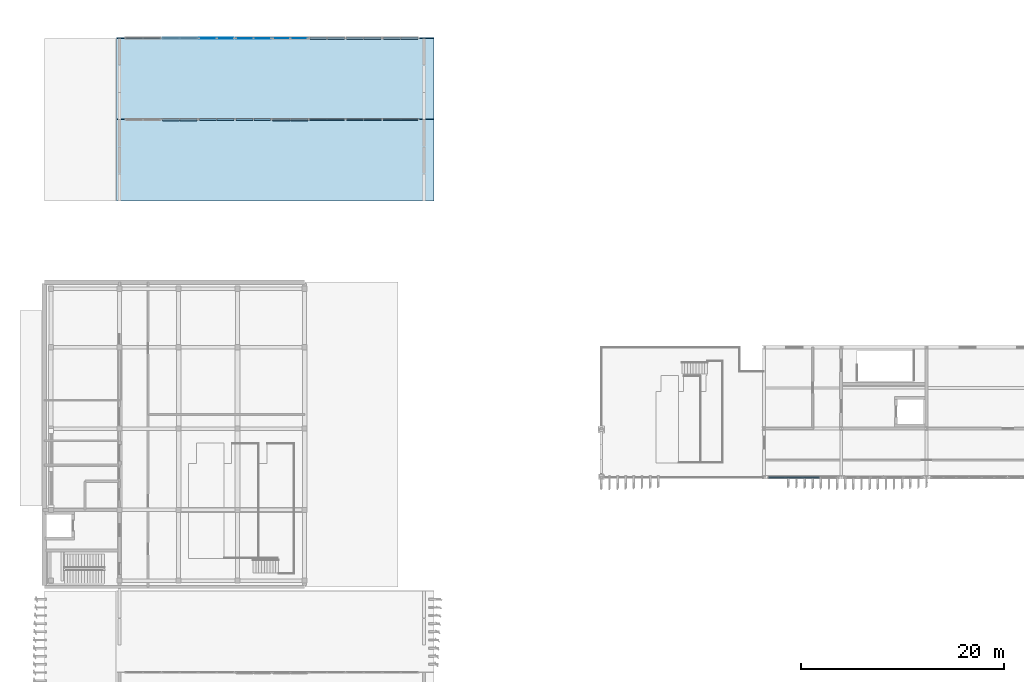
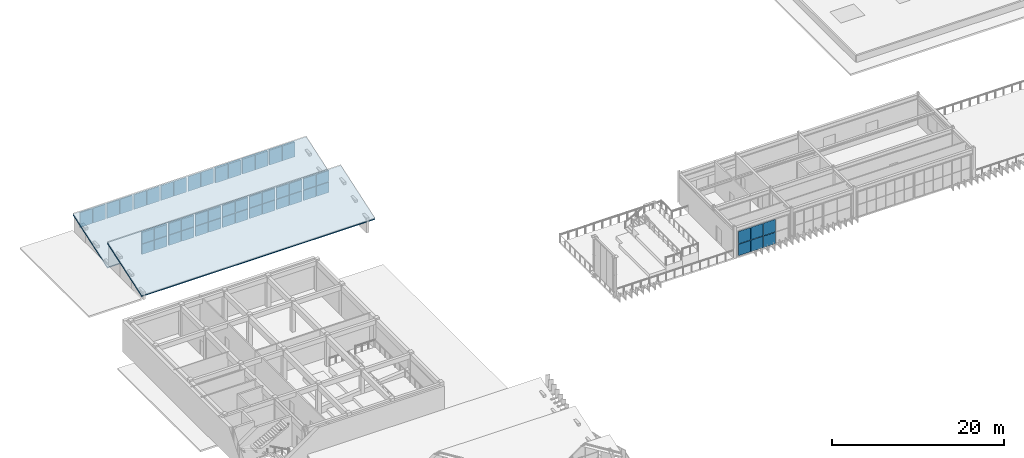
# One storey, part 22 of 45: 50 plates, 2 slabs, 16 elements without a shape of their own.
"""IFC4 building model written with IfcOpenShell, lengths in metres."""

import ifcopenshell
import ifcopenshell.guid

model = None  # the IFC model being written
_history = None  # IfcOwnerHistory: only IFC2X3 demands one
_inside = {}  # id of a spatial element -> (the spatial element, [elements in it])
_under = {}  # id of a project, library or spatial element -> (it, [spatial elements below it])
_declared = {}  # id of a project -> (the project, [libraries it declares])
_typed = {}  # id of a type object -> (the type object, [elements of that type])
_made_of = {}  # id of a material, layer set ... -> (it, [elements and type objects made of it])


def new_model(schema):
    """Start an empty IFC model of exactly this schema.

    Asked for "IFC4X3", IfcOpenShell would pick the latest addendum, in which some entities
    have other attributes; the version numbers below select the first issue.
    IFC2X3 requires an IfcOwnerHistory on every rooted entity: one is made here for all.
    """
    global model, _history
    if schema == "IFC4X3":
        model = ifcopenshell.file(schema_version=(4, 3, 0, 0))
    else:
        model = ifcopenshell.file(schema=schema)
    _inside.clear()
    _under.clear()
    _declared.clear()
    _typed.clear()
    _made_of.clear()
    _history = None
    if model.schema == "IFC2X3":
        org = make("IfcOrganization", Name="unknown")
        user = make(
            "IfcPersonAndOrganization",
            ThePerson=make("IfcPerson", FamilyName="unknown"),
            TheOrganization=org,
        )
        app = make(
            "IfcApplication",
            ApplicationDeveloper=org,
            Version="unknown",
            ApplicationFullName="unknown",
            ApplicationIdentifier="unknown",
        )
        _history = make(
            "IfcOwnerHistory",
            OwningUser=user,
            OwningApplication=app,
            ChangeAction="ADDED",
            CreationDate=0,
        )
    return model


def make(cls, **values):
    """One entity of the class cls with the attributes given. An attribute that is None is left unset."""
    return model.create_entity(
        cls, **{name: value for name, value in values.items() if value is not None}
    )


def rooted(cls, **values):
    """An entity with a GlobalId (a new one), such as an element, a storey or a relation."""
    return make(cls, GlobalId=ifcopenshell.guid.new(), OwnerHistory=_history, **values)


def si_unit(unit_type, name, prefix=None):
    """IfcSIUnit, for example si_unit("LENGTHUNIT", "METRE", prefix="MILLI")."""
    return make("IfcSIUnit", UnitType=unit_type, Prefix=prefix, Name=name)


def assignment(units):
    """IfcUnitAssignment: the units of a project."""
    return None if units is None else make("IfcUnitAssignment", Units=units)


def point(xyz):
    """IfcCartesianPoint."""
    return None if xyz is None else make("IfcCartesianPoint", Coordinates=xyz)


def direction(xyz):
    """IfcDirection."""
    return None if xyz is None else make("IfcDirection", DirectionRatios=xyz)


def frame(location, z_axis=None, x_axis=None):
    """IfcAxis2Placement3D, a coordinate frame: its origin and axes. An axis left out is left unset."""
    return make(
        "IfcAxis2Placement3D",
        Location=point(location),
        Axis=direction(z_axis),
        RefDirection=direction(x_axis),
    )


def frame_2d(location, x_axis=None):
    """IfcAxis2Placement2D, a coordinate frame in the plane: its origin and x axis."""
    return make(
        "IfcAxis2Placement2D", Location=point(location), RefDirection=direction(x_axis)
    )


def origin():
    """The frame at (0, 0, 0) with its axes left unset."""
    return frame((0.0, 0.0, 0.0))


def origin_2d():
    """The frame at (0, 0) in the plane with its x axis left unset."""
    return frame_2d((0.0, 0.0))


def place(relative_to, where):
    """IfcLocalPlacement: puts the frame where relative to a parent placement (None: the world)."""
    return make(
        "IfcLocalPlacement", PlacementRelTo=relative_to, RelativePlacement=where
    )


def context(
    kind, dimensions, precision=None, world=None, true_north=None, identifier=None
):
    """IfcGeometricRepresentationContext, for example the 3D "Model" context."""
    return make(
        "IfcGeometricRepresentationContext",
        ContextIdentifier=identifier,
        ContextType=kind,
        CoordinateSpaceDimension=dimensions,
        Precision=precision,
        WorldCoordinateSystem=world,
        TrueNorth=true_north,
    )


def subcontext(parent, identifier, kind, view, scale=None):
    """IfcGeometricRepresentationSubContext, for example "Body" below "Model"."""
    return make(
        "IfcGeometricRepresentationSubContext",
        ContextIdentifier=identifier,
        ContextType=kind,
        ParentContext=parent,
        TargetScale=scale,
        TargetView=view,
    )


def project(units=None, contexts=None):
    """IfcProject with its units and contexts."""
    return rooted(
        "IfcProject",
        Name="project",
        RepresentationContexts=contexts,
        UnitsInContext=assignment(units),
    )


def spatial(cls, under=None, at=None, **own):
    """A site, building, storey or space (cls), placed at a placement, below another one or the project."""
    s = rooted(cls, ObjectPlacement=at, **own)
    if under is not None:
        _under.setdefault(under.id(), (under, []))[1].append(s)
    return s


def polyline(points):
    """IfcPolyline through the points."""
    return make("IfcPolyline", Points=[point(p) for p in points])


def profile(cls, at=None, kind="AREA", **sizes):
    """A parametric profile (cls). Its sizes go by their IFC names, for example OverallWidth=200.0."""
    return make(cls, ProfileType=kind, Position=at, **sizes)


def rectangle(**sizes):
    """IfcRectangleProfileDef."""
    return profile("IfcRectangleProfileDef", **sizes)


def outline(outer, holes=None, kind="AREA"):
    """IfcArbitraryClosedProfileDef: a profile drawn as a closed curve; with holes, ...WithVoids."""
    if holes is None:
        return make("IfcArbitraryClosedProfileDef", ProfileType=kind, OuterCurve=outer)
    return make(
        "IfcArbitraryProfileDefWithVoids",
        ProfileType=kind,
        OuterCurve=outer,
        InnerCurves=holes,
    )


def extrude(swept, where, along, depth):
    """IfcExtrudedAreaSolid: the profile swept, set in the frame where, extruded along a direction by depth."""
    return make(
        "IfcExtrudedAreaSolid",
        SweptArea=swept,
        Position=where,
        ExtrudedDirection=direction(along),
        Depth=depth,
    )


def shape(context_of_items, identifier, shape_type, items):
    """IfcShapeRepresentation: the items that make up one representation, for example the "Body"."""
    return make(
        "IfcShapeRepresentation",
        ContextOfItems=context_of_items,
        RepresentationIdentifier=identifier,
        RepresentationType=shape_type,
        Items=items,
    )


def material(Name=None, Category=None):
    """IfcMaterial."""
    return make("IfcMaterial", Name=Name, Category=Category)


def layer(
    of_material, thickness, ventilated=None, Name=None, Category=None, Priority=None
):
    """IfcMaterialLayer: one layer of a wall or slab, of a material (None: an air gap)."""
    return make(
        "IfcMaterialLayer",
        Material=of_material,
        LayerThickness=thickness,
        IsVentilated=ventilated,
        Name=Name,
        Category=Category,
        Priority=Priority,
    )


def layer_set(layers, Name=None):
    """IfcMaterialLayerSet."""
    return make("IfcMaterialLayerSet", MaterialLayers=layers, LayerSetName=Name)


def made_of(thing, what):
    """Note that an element or type object is made of a material, layer set ...; save() writes the relation."""
    if what is not None:
        _made_of.setdefault(what.id(), (what, []))[1].append(thing)
    return thing


def type_object(cls, material=None, **own):
    """A type object (cls), such as IfcWallType, which elements share."""
    return made_of(rooted(cls, **own), material)


def element(
    cls,
    number,
    at=None,
    inside=None,
    cuts=None,
    type_object=None,
    material=None,
    context=None,
    identifier="Body",
    shape_type=None,
    held_by="IfcProductDefinitionShape",
    body=None,
    shapes=None,
    **own,
):
    """One element of the class cls, such as IfcWall. Its Tag is "e" and its number.

    at: its placement. inside: the storey or other place that contains it. cuts: it is an
    opening in that element (IfcRelVoidsElement). A single representation is given by context,
    identifier, shape_type and body (its items); several are given by shapes. held_by: the class
    of the entity that holds the representations. save() writes the other relations.
    """
    e = rooted(cls, Tag="e%d" % number, ObjectPlacement=at, **own)
    if body is not None:
        shapes = [shape(context, identifier, shape_type, body)]
    if shapes is not None:
        e.Representation = make(held_by, Representations=shapes)
    if inside is not None:
        _inside.setdefault(inside.id(), (inside, []))[1].append(e)
    if cuts is not None:
        rooted(
            "IfcRelVoidsElement", RelatingBuildingElement=cuts, RelatedOpeningElement=e
        )
    if type_object is not None:
        _typed.setdefault(type_object.id(), (type_object, []))[1].append(e)
    return made_of(e, material)


def aggregate(whole, parts):
    """IfcRelAggregates: a whole, such as a stair, and the parts it consists of."""
    return rooted("IfcRelAggregates", RelatingObject=whole, RelatedObjects=parts)


def save(model, path):
    """Write the relations noted so far, then the file.

    IfcRelAggregates (storeys below a building ...), IfcRelContainedInSpatialStructure (elements
    in a storey), IfcRelDefinesByType, IfcRelAssociatesMaterial and IfcRelDeclares: one each for
    every whole, place, type object, material and project.
    """
    for whole, parts in _under.values():
        aggregate(whole, parts)
    for where, things in _inside.values():
        rooted(
            "IfcRelContainedInSpatialStructure",
            RelatedElements=things,
            RelatingStructure=where,
        )
    for kind, things in _typed.values():
        rooted("IfcRelDefinesByType", RelatedObjects=things, RelatingType=kind)
    for what, things in _made_of.values():
        rooted("IfcRelAssociatesMaterial", RelatedObjects=things, RelatingMaterial=what)
    for by, libraries in _declared.values():
        rooted("IfcRelDeclares", RelatingContext=by, RelatedDefinitions=libraries)
    model.write(path)


model = new_model("IFC4")

# Units and contexts
model_context = context("Model", 3, precision=1e-05, world=origin(), true_north=direction((0.0, 1.0)))
body_context = subcontext(model_context, "Body", "Model", "MODEL_VIEW")
ifc_project = project(units=[si_unit("LENGTHUNIT", "METRE"), si_unit("AREAUNIT", "SQUARE_METRE"), si_unit("VOLUMEUNIT", "CUBIC_METRE"), si_unit("PLANEANGLEUNIT", "RADIAN"), si_unit("MASSUNIT", "GRAM", prefix="KILO")], contexts=[model_context])

# Site, building, storey
site_placement = place(None, origin())
site = spatial("IfcSite", under=ifc_project, at=site_placement, CompositionType="ELEMENT")
building_placement = place(site_placement, origin())
building = spatial("IfcBuilding", under=site, at=building_placement, Name="Cinchona Park Media Centre", CompositionType="ELEMENT")
storey_placement = place(building_placement, frame((0.0, 0.0, 20.39990234375)))
storey = spatial("IfcBuildingStorey", under=building, at=storey_placement, Name="L04", CompositionType="ELEMENT", Elevation=20.39990234375)

# Curtain wall, plates
ifc_material_1 = material(Name="Aluminium Curtain Wall Framing", Category="aluminium")
ifc_layer_1 = layer(ifc_material_1, 0.31494140625)
ifc_layer_set_1 = layer_set([ifc_layer_1], Name="Aluminium Curtain Wall Framing")
curtain_wall_type_1 = type_object("IfcCurtainWallType", Name="CW-CW10", PredefinedType="USERDEFINED", material=ifc_layer_set_1)
curtain_wall_1_placement = place(storey_placement, origin())
curtain_wall_1 = element("IfcCurtainWall", 1, at=curtain_wall_1_placement, inside=storey, type_object=curtain_wall_type_1, Name="North-Light Sawtooth Clerestory V2 Bay 2.4 CW10 L04", ObjectType="UNITISED CURTAIN WALL", PredefinedType="USERDEFINED")
ifc_material_2 = material(Name="Laminated Solar-Control Double Glazing", Category="glass")
ifc_layer_2 = layer(ifc_material_2, 0.030029296875)
ifc_layer_set_2 = layer_set([ifc_layer_2], Name="Laminated Solar-Control Double Glazing")
plate_type_1 = type_object("IfcPlateType", Name="CWPANEL-PNL02", PredefinedType="CURTAIN_PANEL", material=ifc_layer_set_2)
plate_1_placement = place(storey_placement, frame((33.0576171875, 118.0, 0.0703125), z_axis=(0.0, 0.0, 1.0), x_axis=(-1.0, 0.0, 0.0)))
plate_1 = element("IfcPlate", 2, at=plate_1_placement, type_object=plate_type_1, Name="CW10 panel 1.1", PredefinedType="CURTAIN_PANEL", context=body_context, shape_type="SweptSolid", body=[
    extrude(rectangle(XDim=1.6650390625, YDim=0.030029296875, at=origin_2d()), origin(), (0.0, 0.0, 1.0), 2.096923828125),
])
plate_2_placement = place(storey_placement, frame((31.322509765625, 118.0, 0.0703125), z_axis=(0.0, 0.0, 1.0), x_axis=(-1.0, 0.0, 0.0)))
plate_2 = element("IfcPlate", 3, at=plate_2_placement, type_object=plate_type_1, Name="CW10 panel 2.1", PredefinedType="CURTAIN_PANEL", context=body_context, shape_type="SweptSolid", body=[
    extrude(rectangle(XDim=1.6650390625, YDim=0.030029296875, at=origin_2d()), origin(), (0.0, 0.0, 1.0), 2.096923828125),
])
aggregate(curtain_wall_1, [plate_1, plate_2])

curtain_wall_2_placement = place(storey_placement, origin())
curtain_wall_2 = element("IfcCurtainWall", 4, at=curtain_wall_2_placement, inside=storey, type_object=curtain_wall_type_1, Name="North-Light Sawtooth Clerestory V2 Bay 2.5 CW10 L04", ObjectType="UNITISED CURTAIN WALL", PredefinedType="USERDEFINED")
ifc_material_3 = material(Name="Laminated Solar-Control Double Glazing", Category="glass")
ifc_layer_3 = layer(ifc_material_3, 0.050048828125)
ifc_layer_set_3 = layer_set([ifc_layer_3], Name="Laminated Solar-Control Double Glazing")
plate_type_2 = type_object("IfcPlateType", Name="CWPANEL-PNL04", PredefinedType="CURTAIN_PANEL", material=ifc_layer_set_3)
plate_3_placement = place(storey_placement, frame((29.4375, 118.0, 0.0703125), z_axis=(0.0, 0.0, 1.0), x_axis=(-1.0, 0.0, 0.0)))
plate_3 = element("IfcPlate", 5, at=plate_3_placement, type_object=plate_type_2, Name="CW10 panel 1.1", PredefinedType="CURTAIN_PANEL", context=body_context, shape_type="SweptSolid", body=[
    extrude(rectangle(XDim=1.6650390625, YDim=0.050048828125, at=origin_2d()), origin(), (0.0, 0.0, 1.0), 2.096923828125),
])
plate_4_placement = place(storey_placement, frame((27.702392578125, 118.0, 0.0703125), z_axis=(0.0, 0.0, 1.0), x_axis=(-1.0, 0.0, 0.0)))
plate_4 = element("IfcPlate", 6, at=plate_4_placement, type_object=plate_type_2, Name="CW10 panel 2.1", PredefinedType="CURTAIN_PANEL", context=body_context, shape_type="SweptSolid", body=[
    extrude(rectangle(XDim=1.6650390625, YDim=0.050048828125, at=origin_2d()), origin(), (0.0, 0.0, 1.0), 2.096923828125),
])
aggregate(curtain_wall_2, [plate_3, plate_4])

curtain_wall_3_placement = place(storey_placement, origin())
curtain_wall_3 = element("IfcCurtainWall", 7, at=curtain_wall_3_placement, inside=storey, type_object=curtain_wall_type_1, Name="North-Light Sawtooth Clerestory V2 Bay 2.6 CW10 L04", ObjectType="UNITISED CURTAIN WALL", PredefinedType="USERDEFINED")
ifc_material_4 = material(Name="Laminated Solar-Control Double Glazing", Category="glass")
ifc_layer_4 = layer(ifc_material_4, 0.070068359375)
ifc_layer_set_4 = layer_set([ifc_layer_4], Name="Laminated Solar-Control Double Glazing")
plate_type_3 = type_object("IfcPlateType", Name="CWPANEL-PNL06", PredefinedType="CURTAIN_PANEL", material=ifc_layer_set_4)
plate_5_placement = place(storey_placement, frame((25.8173828125, 118.0, 0.0703125), z_axis=(0.0, 0.0, 1.0), x_axis=(-1.0, 0.0, 0.0)))
plate_5 = element("IfcPlate", 8, at=plate_5_placement, type_object=plate_type_3, Name="CW10 panel 1.1", PredefinedType="CURTAIN_PANEL", context=body_context, shape_type="SweptSolid", body=[
    extrude(rectangle(XDim=1.6650390625, YDim=0.070068359375, at=origin_2d()), origin(), (0.0, 0.0, 1.0), 2.096923828125),
])
plate_6_placement = place(storey_placement, frame((24.08251953125, 118.0, 0.0703125), z_axis=(0.0, 0.0, 1.0), x_axis=(-1.0, 0.0, 0.0)))
plate_6 = element("IfcPlate", 9, at=plate_6_placement, type_object=plate_type_3, Name="CW10 panel 2.1", PredefinedType="CURTAIN_PANEL", context=body_context, shape_type="SweptSolid", body=[
    extrude(rectangle(XDim=1.6650390625, YDim=0.070068359375, at=origin_2d()), origin(), (0.0, 0.0, 1.0), 2.096923828125),
])
aggregate(curtain_wall_3, [plate_5, plate_6])

curtain_wall_4_placement = place(storey_placement, origin())
curtain_wall_4 = element("IfcCurtainWall", 10, at=curtain_wall_4_placement, inside=storey, type_object=curtain_wall_type_1, Name="North-Light Sawtooth Clerestory V2 Bay 2.7 CW10 L04", ObjectType="UNITISED CURTAIN WALL", PredefinedType="USERDEFINED")
ifc_material_5 = material(Name="Insulated Acoustic Aluminium-Glass Spandrel Cassette", Category="aluminium")
ifc_layer_5 = layer(ifc_material_5, 0.090087890625)
ifc_layer_set_5 = layer_set([ifc_layer_5], Name="Insulated Acoustic Aluminium-Glass Spandrel Cassette")
plate_type_4 = type_object("IfcPlateType", Name="CWPANEL-PNL08", PredefinedType="CURTAIN_PANEL", material=ifc_layer_set_5)
plate_7_placement = place(storey_placement, frame((22.197509765625, 118.0, 0.0703125), z_axis=(0.0, 0.0, 1.0), x_axis=(-1.0, 0.0, 0.0)))
plate_7 = element("IfcPlate", 11, at=plate_7_placement, type_object=plate_type_4, Name="CW10 panel 1.1", PredefinedType="CURTAIN_PANEL", context=body_context, shape_type="SweptSolid", body=[
    extrude(rectangle(XDim=1.6650390625, YDim=0.090087890625, at=origin_2d()), origin(), (0.0, 0.0, 1.0), 2.096923828125),
])
plate_8_placement = place(storey_placement, frame((20.46240234375, 118.0, 0.0703125), z_axis=(0.0, 0.0, 1.0), x_axis=(-1.0, 0.0, 0.0)))
plate_8 = element("IfcPlate", 12, at=plate_8_placement, type_object=plate_type_4, Name="CW10 panel 2.1", PredefinedType="CURTAIN_PANEL", context=body_context, shape_type="SweptSolid", body=[
    extrude(rectangle(XDim=1.6650390625, YDim=0.090087890625, at=origin_2d()), origin(), (0.0, 0.0, 1.0), 2.096923828125),
])
aggregate(curtain_wall_4, [plate_7, plate_8])

curtain_wall_5_placement = place(storey_placement, origin())
curtain_wall_5 = element("IfcCurtainWall", 13, at=curtain_wall_5_placement, inside=storey, type_object=curtain_wall_type_1, Name="North-Light Sawtooth Clerestory V2 Bay 2.8 CW10 L04", ObjectType="UNITISED CURTAIN WALL", PredefinedType="USERDEFINED")
ifc_material_6 = material(Name="Insulated Acoustic Aluminium-Glass Spandrel Cassette", Category="aluminium")
ifc_layer_6 = layer(ifc_material_6, 0.110107421875)
ifc_layer_set_6 = layer_set([ifc_layer_6], Name="Insulated Acoustic Aluminium-Glass Spandrel Cassette")
plate_type_5 = type_object("IfcPlateType", Name="CWPANEL-PNL10", PredefinedType="CURTAIN_PANEL", material=ifc_layer_set_6)
plate_9_placement = place(storey_placement, frame((18.577392578125, 118.0, 0.0703125), z_axis=(0.0, 0.0, 1.0), x_axis=(-1.0, 0.0, 0.0)))
plate_9 = element("IfcPlate", 14, at=plate_9_placement, type_object=plate_type_5, Name="CW10 panel 1.1", PredefinedType="CURTAIN_PANEL", context=body_context, shape_type="SweptSolid", body=[
    extrude(rectangle(XDim=1.6650390625, YDim=0.110107421875, at=origin_2d()), origin(), (0.0, 0.0, 1.0), 2.096923828125),
])
plate_10_placement = place(storey_placement, frame((16.842529296875, 118.0, 0.0703125), z_axis=(0.0, 0.0, 1.0), x_axis=(-1.0, 0.0, 0.0)))
plate_10 = element("IfcPlate", 15, at=plate_10_placement, type_object=plate_type_5, Name="CW10 panel 2.1", PredefinedType="CURTAIN_PANEL", context=body_context, shape_type="SweptSolid", body=[
    extrude(rectangle(XDim=1.6650390625, YDim=0.110107421875, at=origin_2d()), origin(), (0.0, 0.0, 1.0), 2.096923828125),
])
aggregate(curtain_wall_5, [plate_9, plate_10])

curtain_wall_6_placement = place(storey_placement, origin())
curtain_wall_6 = element("IfcCurtainWall", 16, at=curtain_wall_6_placement, inside=storey, type_object=curtain_wall_type_1, Name="North-Light Sawtooth Clerestory V2 Bay 1.1 CW10 L04", ObjectType="UNITISED CURTAIN WALL", PredefinedType="USERDEFINED")
ifc_material_7 = material(Name="Insulated Acoustic Aluminium-Glass Spandrel Cassette", Category="aluminium")
ifc_layer_7 = layer(ifc_material_7, 0.1201171875)
ifc_layer_set_7 = layer_set([ifc_layer_7], Name="Insulated Acoustic Aluminium-Glass Spandrel Cassette")
plate_type_6 = type_object("IfcPlateType", Name="CWPANEL-PNL11", PredefinedType="CURTAIN_PANEL", material=ifc_layer_set_7)
plate_11_placement = place(storey_placement, frame((43.91748046875, 110.0, -0.14990234375), z_axis=(0.0, 0.0, 1.0), x_axis=(-1.0, 0.0, 0.0)))
plate_11 = element("IfcPlate", 17, at=plate_11_placement, type_object=plate_type_6, Name="CW10 panel 1.1", PredefinedType="CURTAIN_PANEL", context=body_context, shape_type="SweptSolid", body=[
    extrude(rectangle(XDim=1.6650390625, YDim=0.1201171875, at=origin_2d()), origin(), (0.0, 0.0, 1.0), 1.4580078125),
])
plate_12_placement = place(storey_placement, frame((43.91748046875, 110.0, 1.3779296875), z_axis=(0.0, 0.0, 1.0), x_axis=(-1.0, 0.0, 0.0)))
plate_12 = element("IfcPlate", 18, at=plate_12_placement, type_object=plate_type_6, Name="CW10 panel 1.2", PredefinedType="CURTAIN_PANEL", context=body_context, shape_type="SweptSolid", body=[
    extrude(rectangle(XDim=1.6650390625, YDim=0.1201171875, at=origin_2d()), origin(), (0.0, 0.0, 1.0), 1.589111328125),
])
plate_13_placement = place(storey_placement, frame((42.1826171875, 110.0, -0.14990234375), z_axis=(0.0, 0.0, 1.0), x_axis=(-1.0, 0.0, 0.0)))
plate_13 = element("IfcPlate", 19, at=plate_13_placement, type_object=plate_type_6, Name="CW10 panel 2.1", PredefinedType="CURTAIN_PANEL", context=body_context, shape_type="SweptSolid", body=[
    extrude(rectangle(XDim=1.6650390625, YDim=0.1201171875, at=origin_2d()), origin(), (0.0, 0.0, 1.0), 1.4580078125),
])
plate_14_placement = place(storey_placement, frame((42.1826171875, 110.0, 1.3779296875), z_axis=(0.0, 0.0, 1.0), x_axis=(-1.0, 0.0, 0.0)))
plate_14 = element("IfcPlate", 20, at=plate_14_placement, type_object=plate_type_6, Name="CW10 panel 2.2", PredefinedType="CURTAIN_PANEL", context=body_context, shape_type="SweptSolid", body=[
    extrude(rectangle(XDim=1.6650390625, YDim=0.1201171875, at=origin_2d()), origin(), (0.0, 0.0, 1.0), 1.589111328125),
])
aggregate(curtain_wall_6, [plate_11, plate_12, plate_13, plate_14])

ifc_material_8 = material(Name="Aluminium Curtain Wall Framing", Category="aluminium")
ifc_layer_8 = layer(ifc_material_8, 0.284912109375)
ifc_layer_set_8 = layer_set([ifc_layer_8], Name="Aluminium Curtain Wall Framing")
curtain_wall_type_2 = type_object("IfcCurtainWallType", Name="CW-CW08", PredefinedType="USERDEFINED", material=ifc_layer_set_8)
curtain_wall_7_placement = place(storey_placement, origin())
curtain_wall_7 = element("IfcCurtainWall", 21, at=curtain_wall_7_placement, inside=storey, type_object=curtain_wall_type_2, Name="Curtain Wall CW08 L04", ObjectType="UNITISED CURTAIN WALL", PredefinedType="USERDEFINED")
ifc_material_9 = material(Name="Insulated Acoustic Aluminium-Glass Spandrel Cassette", Category="aluminium")
ifc_layer_9 = layer(ifc_material_9, 0.1298828125)
ifc_layer_set_9 = layer_set([ifc_layer_9], Name="Insulated Acoustic Aluminium-Glass Spandrel Cassette")
plate_type_7 = type_object("IfcPlateType", Name="CWPANEL-PNL12", PredefinedType="CURTAIN_PANEL", material=ifc_layer_set_9)
plate_15_placement = place(storey_placement, frame((83.445068359375, 74.800048828125, 0.1201171875), z_axis=(0.0, 0.0, 1.0), x_axis=(-1.0, 0.0, 0.0)))
plate_15 = element("IfcPlate", 22, at=plate_15_placement, type_object=plate_type_7, Name="CW08 panel 2.1", PredefinedType="CURTAIN_PANEL", context=body_context, shape_type="SweptSolid", body=[
    extrude(rectangle(XDim=1.6201171875, YDim=0.1298828125, at=origin_2d()), origin(), (0.0, 0.0, 1.0), 1.60888671875),
])
plate_16_placement = place(storey_placement, frame((83.445068359375, 74.800048828125, 1.799072265625), z_axis=(0.0, 0.0, 1.0), x_axis=(-1.0, 0.0, 0.0)))
plate_16 = element("IfcPlate", 23, at=plate_16_placement, type_object=plate_type_7, Name="CW08 panel 2.2", PredefinedType="CURTAIN_PANEL", context=body_context, shape_type="SweptSolid", body=[
    extrude(rectangle(XDim=1.6201171875, YDim=0.1298828125, at=origin_2d()), origin(), (0.0, 0.0, 1.0), 1.7509765625),
])
plate_17_placement = place(storey_placement, frame((81.7548828125, 74.800048828125, 0.1201171875), z_axis=(0.0, 0.0, 1.0), x_axis=(-1.0, 0.0, 0.0)))
plate_17 = element("IfcPlate", 24, at=plate_17_placement, type_object=plate_type_7, Name="CW08 panel 3.1", PredefinedType="CURTAIN_PANEL", context=body_context, shape_type="SweptSolid", body=[
    extrude(rectangle(XDim=1.6201171875, YDim=0.1298828125, at=origin_2d()), origin(), (0.0, 0.0, 1.0), 1.60888671875),
])
plate_18_placement = place(storey_placement, frame((81.7548828125, 74.800048828125, 1.799072265625), z_axis=(0.0, 0.0, 1.0), x_axis=(-1.0, 0.0, 0.0)))
plate_18 = element("IfcPlate", 25, at=plate_18_placement, type_object=plate_type_7, Name="CW08 panel 3.2", PredefinedType="CURTAIN_PANEL", context=body_context, shape_type="SweptSolid", body=[
    extrude(rectangle(XDim=1.6201171875, YDim=0.1298828125, at=origin_2d()), origin(), (0.0, 0.0, 1.0), 1.7509765625),
])
plate_19_placement = place(storey_placement, frame((80.08251953125, 74.800048828125, 0.1201171875), z_axis=(0.0, 0.0, 1.0), x_axis=(-1.0, 0.0, 0.0)))
plate_19 = element("IfcPlate", 26, at=plate_19_placement, type_object=plate_type_7, Name="CW08 panel 4.1", PredefinedType="CURTAIN_PANEL", context=body_context, shape_type="SweptSolid", body=[
    extrude(rectangle(XDim=1.5849609375, YDim=0.1298828125, at=origin_2d()), origin(), (0.0, 0.0, 1.0), 1.60888671875),
])
plate_20_placement = place(storey_placement, frame((80.08251953125, 74.800048828125, 1.799072265625), z_axis=(0.0, 0.0, 1.0), x_axis=(-1.0, 0.0, 0.0)))
plate_20 = element("IfcPlate", 27, at=plate_20_placement, type_object=plate_type_7, Name="CW08 panel 4.2", PredefinedType="CURTAIN_PANEL", context=body_context, shape_type="SweptSolid", body=[
    extrude(rectangle(XDim=1.5849609375, YDim=0.1298828125, at=origin_2d()), origin(), (0.0, 0.0, 1.0), 1.7509765625),
])
aggregate(curtain_wall_7, [plate_15, plate_16, plate_17, plate_18, plate_19, plate_20])

curtain_wall_8_placement = place(storey_placement, origin())
curtain_wall_8 = element("IfcCurtainWall", 28, at=curtain_wall_8_placement, inside=storey, type_object=curtain_wall_type_1, Name="North-Light Sawtooth Clerestory V2 Bay 1.2 CW10 L04", ObjectType="UNITISED CURTAIN WALL", PredefinedType="USERDEFINED")
ifc_material_10 = material(Name="Insulated Acoustic Aluminium-Glass Spandrel Cassette", Category="aluminium")
ifc_layer_10 = layer(ifc_material_10, 0.139892578125)
ifc_layer_set_10 = layer_set([ifc_layer_10], Name="Insulated Acoustic Aluminium-Glass Spandrel Cassette")
plate_type_8 = type_object("IfcPlateType", Name="CWPANEL-PNL13", PredefinedType="CURTAIN_PANEL", material=ifc_layer_set_10)
plate_21_placement = place(storey_placement, frame((40.297607421875, 110.0, -0.14990234375), z_axis=(0.0, 0.0, 1.0), x_axis=(-1.0, 0.0, 0.0)))
plate_21 = element("IfcPlate", 29, at=plate_21_placement, type_object=plate_type_8, Name="CW10 panel 1.1", PredefinedType="CURTAIN_PANEL", context=body_context, shape_type="SweptSolid", body=[
    extrude(rectangle(XDim=1.6650390625, YDim=0.139892578125, at=origin_2d()), origin(), (0.0, 0.0, 1.0), 1.4580078125),
])
plate_22_placement = place(storey_placement, frame((40.297607421875, 110.0, 1.3779296875), z_axis=(0.0, 0.0, 1.0), x_axis=(-1.0, 0.0, 0.0)))
plate_22 = element("IfcPlate", 30, at=plate_22_placement, type_object=plate_type_8, Name="CW10 panel 1.2", PredefinedType="CURTAIN_PANEL", context=body_context, shape_type="SweptSolid", body=[
    extrude(rectangle(XDim=1.6650390625, YDim=0.139892578125, at=origin_2d()), origin(), (0.0, 0.0, 1.0), 1.589111328125),
])
plate_23_placement = place(storey_placement, frame((38.5625, 110.0, -0.14990234375), z_axis=(0.0, 0.0, 1.0), x_axis=(-1.0, 0.0, 0.0)))
plate_23 = element("IfcPlate", 31, at=plate_23_placement, type_object=plate_type_8, Name="CW10 panel 2.1", PredefinedType="CURTAIN_PANEL", context=body_context, shape_type="SweptSolid", body=[
    extrude(rectangle(XDim=1.6650390625, YDim=0.139892578125, at=origin_2d()), origin(), (0.0, 0.0, 1.0), 1.4580078125),
])
plate_24_placement = place(storey_placement, frame((38.5625, 110.0, 1.3779296875), z_axis=(0.0, 0.0, 1.0), x_axis=(-1.0, 0.0, 0.0)))
plate_24 = element("IfcPlate", 32, at=plate_24_placement, type_object=plate_type_8, Name="CW10 panel 2.2", PredefinedType="CURTAIN_PANEL", context=body_context, shape_type="SweptSolid", body=[
    extrude(rectangle(XDim=1.6650390625, YDim=0.139892578125, at=origin_2d()), origin(), (0.0, 0.0, 1.0), 1.589111328125),
])
aggregate(curtain_wall_8, [plate_21, plate_22, plate_23, plate_24])

curtain_wall_9_placement = place(storey_placement, origin())
curtain_wall_9 = element("IfcCurtainWall", 33, at=curtain_wall_9_placement, inside=storey, type_object=curtain_wall_type_1, Name="North-Light Sawtooth Clerestory V2 Bay 1.3 CW10 L04", ObjectType="UNITISED CURTAIN WALL", PredefinedType="USERDEFINED")
ifc_material_11 = material(Name="Insulated Acoustic Aluminium-Glass Spandrel Cassette", Category="aluminium")
ifc_layer_11 = layer(ifc_material_11, 0.159912109375)
ifc_layer_set_11 = layer_set([ifc_layer_11], Name="Insulated Acoustic Aluminium-Glass Spandrel Cassette")
plate_type_9 = type_object("IfcPlateType", Name="CWPANEL-PNL15", PredefinedType="CURTAIN_PANEL", material=ifc_layer_set_11)
plate_25_placement = place(storey_placement, frame((36.677490234375, 110.0, -0.14990234375), z_axis=(0.0, 0.0, 1.0), x_axis=(-1.0, 0.0, 0.0)))
plate_25 = element("IfcPlate", 34, at=plate_25_placement, type_object=plate_type_9, Name="CW10 panel 1.1", PredefinedType="CURTAIN_PANEL", context=body_context, shape_type="SweptSolid", body=[
    extrude(rectangle(XDim=1.6650390625, YDim=0.159912109375, at=origin_2d()), origin(), (0.0, 0.0, 1.0), 1.4580078125),
])
plate_26_placement = place(storey_placement, frame((36.677490234375, 110.0, 1.3779296875), z_axis=(0.0, 0.0, 1.0), x_axis=(-1.0, 0.0, 0.0)))
plate_26 = element("IfcPlate", 35, at=plate_26_placement, type_object=plate_type_9, Name="CW10 panel 1.2", PredefinedType="CURTAIN_PANEL", context=body_context, shape_type="SweptSolid", body=[
    extrude(rectangle(XDim=1.6650390625, YDim=0.159912109375, at=origin_2d()), origin(), (0.0, 0.0, 1.0), 1.589111328125),
])
plate_27_placement = place(storey_placement, frame((34.9423828125, 110.0, -0.14990234375), z_axis=(0.0, 0.0, 1.0), x_axis=(-1.0, 0.0, 0.0)))
plate_27 = element("IfcPlate", 36, at=plate_27_placement, type_object=plate_type_9, Name="CW10 panel 2.1", PredefinedType="CURTAIN_PANEL", context=body_context, shape_type="SweptSolid", body=[
    extrude(rectangle(XDim=1.6650390625, YDim=0.159912109375, at=origin_2d()), origin(), (0.0, 0.0, 1.0), 1.4580078125),
])
plate_28_placement = place(storey_placement, frame((34.9423828125, 110.0, 1.3779296875), z_axis=(0.0, 0.0, 1.0), x_axis=(-1.0, 0.0, 0.0)))
plate_28 = element("IfcPlate", 37, at=plate_28_placement, type_object=plate_type_9, Name="CW10 panel 2.2", PredefinedType="CURTAIN_PANEL", context=body_context, shape_type="SweptSolid", body=[
    extrude(rectangle(XDim=1.6650390625, YDim=0.159912109375, at=origin_2d()), origin(), (0.0, 0.0, 1.0), 1.589111328125),
])
aggregate(curtain_wall_9, [plate_25, plate_26, plate_27, plate_28])

curtain_wall_10_placement = place(storey_placement, origin())
curtain_wall_10 = element("IfcCurtainWall", 38, at=curtain_wall_10_placement, inside=storey, type_object=curtain_wall_type_1, Name="North-Light Sawtooth Clerestory V2 Bay 1.4 CW10 L04", ObjectType="UNITISED CURTAIN WALL", PredefinedType="USERDEFINED")
ifc_material_12 = material(Name="Insulated Acoustic Aluminium-Glass Spandrel Cassette", Category="aluminium")
ifc_layer_12 = layer(ifc_material_12, 0.179931640625)
ifc_layer_set_12 = layer_set([ifc_layer_12], Name="Insulated Acoustic Aluminium-Glass Spandrel Cassette")
plate_type_10 = type_object("IfcPlateType", Name="CWPANEL-PNL17", PredefinedType="CURTAIN_PANEL", material=ifc_layer_set_12)
plate_29_placement = place(storey_placement, frame((33.0576171875, 110.0, -0.14990234375), z_axis=(0.0, 0.0, 1.0), x_axis=(-1.0, 0.0, 0.0)))
plate_29 = element("IfcPlate", 39, at=plate_29_placement, type_object=plate_type_10, Name="CW10 panel 1.1", PredefinedType="CURTAIN_PANEL", context=body_context, shape_type="SweptSolid", body=[
    extrude(rectangle(XDim=1.6650390625, YDim=0.179931640625, at=origin_2d()), origin(), (0.0, 0.0, 1.0), 1.4580078125),
])
plate_30_placement = place(storey_placement, frame((33.0576171875, 110.0, 1.3779296875), z_axis=(0.0, 0.0, 1.0), x_axis=(-1.0, 0.0, 0.0)))
plate_30 = element("IfcPlate", 40, at=plate_30_placement, type_object=plate_type_10, Name="CW10 panel 1.2", PredefinedType="CURTAIN_PANEL", context=body_context, shape_type="SweptSolid", body=[
    extrude(rectangle(XDim=1.6650390625, YDim=0.179931640625, at=origin_2d()), origin(), (0.0, 0.0, 1.0), 1.589111328125),
])
plate_31_placement = place(storey_placement, frame((31.322509765625, 110.0, -0.14990234375), z_axis=(0.0, 0.0, 1.0), x_axis=(-1.0, 0.0, 0.0)))
plate_31 = element("IfcPlate", 41, at=plate_31_placement, type_object=plate_type_10, Name="CW10 panel 2.1", PredefinedType="CURTAIN_PANEL", context=body_context, shape_type="SweptSolid", body=[
    extrude(rectangle(XDim=1.6650390625, YDim=0.179931640625, at=origin_2d()), origin(), (0.0, 0.0, 1.0), 1.4580078125),
])
plate_32_placement = place(storey_placement, frame((31.322509765625, 110.0, 1.3779296875), z_axis=(0.0, 0.0, 1.0), x_axis=(-1.0, 0.0, 0.0)))
plate_32 = element("IfcPlate", 42, at=plate_32_placement, type_object=plate_type_10, Name="CW10 panel 2.2", PredefinedType="CURTAIN_PANEL", context=body_context, shape_type="SweptSolid", body=[
    extrude(rectangle(XDim=1.6650390625, YDim=0.179931640625, at=origin_2d()), origin(), (0.0, 0.0, 1.0), 1.589111328125),
])
aggregate(curtain_wall_10, [plate_29, plate_30, plate_31, plate_32])

curtain_wall_11_placement = place(storey_placement, origin())
curtain_wall_11 = element("IfcCurtainWall", 43, at=curtain_wall_11_placement, inside=storey, type_object=curtain_wall_type_1, Name="North-Light Sawtooth Clerestory V2 Bay 1.5 CW10 L04", ObjectType="UNITISED CURTAIN WALL", PredefinedType="USERDEFINED")
ifc_material_13 = material(Name="Insulated Acoustic Aluminium-Glass Spandrel Cassette", Category="aluminium")
ifc_layer_13 = layer(ifc_material_13, 0.199951171875)
ifc_layer_set_13 = layer_set([ifc_layer_13], Name="Insulated Acoustic Aluminium-Glass Spandrel Cassette")
plate_type_11 = type_object("IfcPlateType", Name="CWPANEL-PNL19", PredefinedType="CURTAIN_PANEL", material=ifc_layer_set_13)
plate_33_placement = place(storey_placement, frame((29.4375, 110.0, -0.14990234375), z_axis=(0.0, 0.0, 1.0), x_axis=(-1.0, 0.0, 0.0)))
plate_33 = element("IfcPlate", 44, at=plate_33_placement, type_object=plate_type_11, Name="CW10 panel 1.1", PredefinedType="CURTAIN_PANEL", context=body_context, shape_type="SweptSolid", body=[
    extrude(rectangle(XDim=1.6650390625, YDim=0.199951171875, at=origin_2d()), origin(), (0.0, 0.0, 1.0), 1.4580078125),
])
plate_34_placement = place(storey_placement, frame((29.4375, 110.0, 1.3779296875), z_axis=(0.0, 0.0, 1.0), x_axis=(-1.0, 0.0, 0.0)))
plate_34 = element("IfcPlate", 45, at=plate_34_placement, type_object=plate_type_11, Name="CW10 panel 1.2", PredefinedType="CURTAIN_PANEL", context=body_context, shape_type="SweptSolid", body=[
    extrude(rectangle(XDim=1.6650390625, YDim=0.199951171875, at=origin_2d()), origin(), (0.0, 0.0, 1.0), 1.589111328125),
])
plate_35_placement = place(storey_placement, frame((27.702392578125, 110.0, -0.14990234375), z_axis=(0.0, 0.0, 1.0), x_axis=(-1.0, 0.0, 0.0)))
plate_35 = element("IfcPlate", 46, at=plate_35_placement, type_object=plate_type_11, Name="CW10 panel 2.1", PredefinedType="CURTAIN_PANEL", context=body_context, shape_type="SweptSolid", body=[
    extrude(rectangle(XDim=1.6650390625, YDim=0.199951171875, at=origin_2d()), origin(), (0.0, 0.0, 1.0), 1.4580078125),
])
plate_36_placement = place(storey_placement, frame((27.702392578125, 110.0, 1.3779296875), z_axis=(0.0, 0.0, 1.0), x_axis=(-1.0, 0.0, 0.0)))
plate_36 = element("IfcPlate", 47, at=plate_36_placement, type_object=plate_type_11, Name="CW10 panel 2.2", PredefinedType="CURTAIN_PANEL", context=body_context, shape_type="SweptSolid", body=[
    extrude(rectangle(XDim=1.6650390625, YDim=0.199951171875, at=origin_2d()), origin(), (0.0, 0.0, 1.0), 1.589111328125),
])
aggregate(curtain_wall_11, [plate_33, plate_34, plate_35, plate_36])

curtain_wall_12_placement = place(storey_placement, origin())
curtain_wall_12 = element("IfcCurtainWall", 48, at=curtain_wall_12_placement, inside=storey, type_object=curtain_wall_type_1, Name="North-Light Sawtooth Clerestory V2 Bay 1.6 CW10 L04", ObjectType="UNITISED CURTAIN WALL", PredefinedType="USERDEFINED")
ifc_material_14 = material(Name="Insulated Acoustic Aluminium-Glass Spandrel Cassette", Category="aluminium")
ifc_layer_14 = layer(ifc_material_14, 0.219970703125)
ifc_layer_set_14 = layer_set([ifc_layer_14], Name="Insulated Acoustic Aluminium-Glass Spandrel Cassette")
plate_type_12 = type_object("IfcPlateType", Name="CWPANEL-PNL21", PredefinedType="CURTAIN_PANEL", material=ifc_layer_set_14)
plate_37_placement = place(storey_placement, frame((25.8173828125, 110.0, -0.14990234375), z_axis=(0.0, 0.0, 1.0), x_axis=(-1.0, 0.0, 0.0)))
plate_37 = element("IfcPlate", 49, at=plate_37_placement, type_object=plate_type_12, Name="CW10 panel 1.1", PredefinedType="CURTAIN_PANEL", context=body_context, shape_type="SweptSolid", body=[
    extrude(rectangle(XDim=1.6650390625, YDim=0.219970703125, at=origin_2d()), origin(), (0.0, 0.0, 1.0), 1.4580078125),
])
plate_38_placement = place(storey_placement, frame((25.8173828125, 110.0, 1.3779296875), z_axis=(0.0, 0.0, 1.0), x_axis=(-1.0, 0.0, 0.0)))
plate_38 = element("IfcPlate", 50, at=plate_38_placement, type_object=plate_type_12, Name="CW10 panel 1.2", PredefinedType="CURTAIN_PANEL", context=body_context, shape_type="SweptSolid", body=[
    extrude(rectangle(XDim=1.6650390625, YDim=0.219970703125, at=origin_2d()), origin(), (0.0, 0.0, 1.0), 1.589111328125),
])
plate_39_placement = place(storey_placement, frame((24.08251953125, 110.0, -0.14990234375), z_axis=(0.0, 0.0, 1.0), x_axis=(-1.0, 0.0, 0.0)))
plate_39 = element("IfcPlate", 51, at=plate_39_placement, type_object=plate_type_12, Name="CW10 panel 2.1", PredefinedType="CURTAIN_PANEL", context=body_context, shape_type="SweptSolid", body=[
    extrude(rectangle(XDim=1.6650390625, YDim=0.219970703125, at=origin_2d()), origin(), (0.0, 0.0, 1.0), 1.4580078125),
])
plate_40_placement = place(storey_placement, frame((24.08251953125, 110.0, 1.3779296875), z_axis=(0.0, 0.0, 1.0), x_axis=(-1.0, 0.0, 0.0)))
plate_40 = element("IfcPlate", 52, at=plate_40_placement, type_object=plate_type_12, Name="CW10 panel 2.2", PredefinedType="CURTAIN_PANEL", context=body_context, shape_type="SweptSolid", body=[
    extrude(rectangle(XDim=1.6650390625, YDim=0.219970703125, at=origin_2d()), origin(), (0.0, 0.0, 1.0), 1.589111328125),
])
aggregate(curtain_wall_12, [plate_37, plate_38, plate_39, plate_40])

curtain_wall_13_placement = place(storey_placement, origin())
curtain_wall_13 = element("IfcCurtainWall", 53, at=curtain_wall_13_placement, inside=storey, type_object=curtain_wall_type_1, Name="North-Light Sawtooth Clerestory V2 Bay 2.1 CW10 L04", ObjectType="UNITISED CURTAIN WALL", PredefinedType="USERDEFINED")
ifc_material_15 = material(Name="Insulated Acoustic Aluminium-Glass Spandrel Cassette", Category="aluminium")
ifc_layer_15 = layer(ifc_material_15, 0.22998046875)
ifc_layer_set_15 = layer_set([ifc_layer_15], Name="Insulated Acoustic Aluminium-Glass Spandrel Cassette")
plate_type_13 = type_object("IfcPlateType", Name="CWPANEL-PNL22", PredefinedType="CURTAIN_PANEL", material=ifc_layer_set_15)
plate_41_placement = place(storey_placement, frame((43.91748046875, 118.0, 0.0703125), z_axis=(0.0, 0.0, 1.0), x_axis=(-1.0, 0.0, 0.0)))
plate_41 = element("IfcPlate", 54, at=plate_41_placement, type_object=plate_type_13, Name="CW10 panel 1.1", PredefinedType="CURTAIN_PANEL", context=body_context, shape_type="SweptSolid", body=[
    extrude(rectangle(XDim=1.6650390625, YDim=0.22998046875, at=origin_2d()), origin(), (0.0, 0.0, 1.0), 2.096923828125),
])
plate_42_placement = place(storey_placement, frame((42.1826171875, 118.0, 0.0703125), z_axis=(0.0, 0.0, 1.0), x_axis=(-1.0, 0.0, 0.0)))
plate_42 = element("IfcPlate", 55, at=plate_42_placement, type_object=plate_type_13, Name="CW10 panel 2.1", PredefinedType="CURTAIN_PANEL", context=body_context, shape_type="SweptSolid", body=[
    extrude(rectangle(XDim=1.6650390625, YDim=0.22998046875, at=origin_2d()), origin(), (0.0, 0.0, 1.0), 2.096923828125),
])
aggregate(curtain_wall_13, [plate_41, plate_42])

curtain_wall_14_placement = place(storey_placement, origin())
curtain_wall_14 = element("IfcCurtainWall", 56, at=curtain_wall_14_placement, inside=storey, type_object=curtain_wall_type_1, Name="North-Light Sawtooth Clerestory V2 Bay 1.7 CW10 L04", ObjectType="UNITISED CURTAIN WALL", PredefinedType="USERDEFINED")
ifc_material_16 = material(Name="Insulated Acoustic Aluminium-Glass Spandrel Cassette", Category="aluminium")
ifc_layer_16 = layer(ifc_material_16, 0.239990234375)
ifc_layer_set_16 = layer_set([ifc_layer_16], Name="Insulated Acoustic Aluminium-Glass Spandrel Cassette")
plate_type_14 = type_object("IfcPlateType", Name="CWPANEL-PNL23", PredefinedType="CURTAIN_PANEL", material=ifc_layer_set_16)
plate_43_placement = place(storey_placement, frame((22.197509765625, 110.0, -0.14990234375), z_axis=(0.0, 0.0, 1.0), x_axis=(-1.0, 0.0, 0.0)))
plate_43 = element("IfcPlate", 57, at=plate_43_placement, type_object=plate_type_14, Name="CW10 panel 1.1", PredefinedType="CURTAIN_PANEL", context=body_context, shape_type="SweptSolid", body=[
    extrude(rectangle(XDim=1.6650390625, YDim=0.239990234375, at=origin_2d()), origin(), (0.0, 0.0, 1.0), 1.4580078125),
])
plate_44_placement = place(storey_placement, frame((22.197509765625, 110.0, 1.3779296875), z_axis=(0.0, 0.0, 1.0), x_axis=(-1.0, 0.0, 0.0)))
plate_44 = element("IfcPlate", 58, at=plate_44_placement, type_object=plate_type_14, Name="CW10 panel 1.2", PredefinedType="CURTAIN_PANEL", context=body_context, shape_type="SweptSolid", body=[
    extrude(rectangle(XDim=1.6650390625, YDim=0.239990234375, at=origin_2d()), origin(), (0.0, 0.0, 1.0), 1.589111328125),
])
plate_45_placement = place(storey_placement, frame((20.46240234375, 110.0, -0.14990234375), z_axis=(0.0, 0.0, 1.0), x_axis=(-1.0, 0.0, 0.0)))
plate_45 = element("IfcPlate", 59, at=plate_45_placement, type_object=plate_type_14, Name="CW10 panel 2.1", PredefinedType="CURTAIN_PANEL", context=body_context, shape_type="SweptSolid", body=[
    extrude(rectangle(XDim=1.6650390625, YDim=0.239990234375, at=origin_2d()), origin(), (0.0, 0.0, 1.0), 1.4580078125),
])
plate_46_placement = place(storey_placement, frame((20.46240234375, 110.0, 1.3779296875), z_axis=(0.0, 0.0, 1.0), x_axis=(-1.0, 0.0, 0.0)))
plate_46 = element("IfcPlate", 60, at=plate_46_placement, type_object=plate_type_14, Name="CW10 panel 2.2", PredefinedType="CURTAIN_PANEL", context=body_context, shape_type="SweptSolid", body=[
    extrude(rectangle(XDim=1.6650390625, YDim=0.239990234375, at=origin_2d()), origin(), (0.0, 0.0, 1.0), 1.589111328125),
])
aggregate(curtain_wall_14, [plate_43, plate_44, plate_45, plate_46])

curtain_wall_15_placement = place(storey_placement, origin())
curtain_wall_15 = element("IfcCurtainWall", 61, at=curtain_wall_15_placement, inside=storey, type_object=curtain_wall_type_1, Name="North-Light Sawtooth Clerestory V2 Bay 2.2 CW10 L04", ObjectType="UNITISED CURTAIN WALL", PredefinedType="USERDEFINED")
ifc_material_17 = material(Name="Insulated Acoustic Aluminium-Glass Spandrel Cassette", Category="aluminium")
ifc_layer_17 = layer(ifc_material_17, 0.25)
ifc_layer_set_17 = layer_set([ifc_layer_17], Name="Insulated Acoustic Aluminium-Glass Spandrel Cassette")
plate_type_15 = type_object("IfcPlateType", Name="CWPANEL-PNL24", PredefinedType="CURTAIN_PANEL", material=ifc_layer_set_17)
plate_47_placement = place(storey_placement, frame((40.297607421875, 118.0, 0.0703125), z_axis=(0.0, 0.0, 1.0), x_axis=(-1.0, 0.0, 0.0)))
plate_47 = element("IfcPlate", 62, at=plate_47_placement, type_object=plate_type_15, Name="CW10 panel 1.1", PredefinedType="CURTAIN_PANEL", context=body_context, shape_type="SweptSolid", body=[
    extrude(rectangle(XDim=1.6650390625, YDim=0.25, at=origin_2d()), origin(), (0.0, 0.0, 1.0), 2.096923828125),
])
plate_48_placement = place(storey_placement, frame((38.5625, 118.0, 0.0703125), z_axis=(0.0, 0.0, 1.0), x_axis=(-1.0, 0.0, 0.0)))
plate_48 = element("IfcPlate", 63, at=plate_48_placement, type_object=plate_type_15, Name="CW10 panel 2.1", PredefinedType="CURTAIN_PANEL", context=body_context, shape_type="SweptSolid", body=[
    extrude(rectangle(XDim=1.6650390625, YDim=0.25, at=origin_2d()), origin(), (0.0, 0.0, 1.0), 2.096923828125),
])
aggregate(curtain_wall_15, [plate_47, plate_48])

curtain_wall_16_placement = place(storey_placement, origin())
curtain_wall_16 = element("IfcCurtainWall", 64, at=curtain_wall_16_placement, inside=storey, type_object=curtain_wall_type_1, Name="North-Light Sawtooth Clerestory V2 Bay 2.3 CW10 L04", ObjectType="UNITISED CURTAIN WALL", PredefinedType="USERDEFINED")
ifc_material_18 = material(Name="Insulated Acoustic Aluminium-Glass Spandrel Cassette", Category="aluminium")
ifc_layer_18 = layer(ifc_material_18, 0.27001953125)
ifc_layer_set_18 = layer_set([ifc_layer_18], Name="Insulated Acoustic Aluminium-Glass Spandrel Cassette")
plate_type_16 = type_object("IfcPlateType", Name="CWPANEL-PNL26", PredefinedType="CURTAIN_PANEL", material=ifc_layer_set_18)
plate_49_placement = place(storey_placement, frame((36.677490234375, 118.0, 0.0703125), z_axis=(0.0, 0.0, 1.0), x_axis=(-1.0, 0.0, 0.0)))
plate_49 = element("IfcPlate", 65, at=plate_49_placement, type_object=plate_type_16, Name="CW10 panel 1.1", PredefinedType="CURTAIN_PANEL", context=body_context, shape_type="SweptSolid", body=[
    extrude(rectangle(XDim=1.6650390625, YDim=0.27001953125, at=origin_2d()), origin(), (0.0, 0.0, 1.0), 2.096923828125),
])
plate_50_placement = place(storey_placement, frame((34.9423828125, 118.0, 0.0703125), z_axis=(0.0, 0.0, 1.0), x_axis=(-1.0, 0.0, 0.0)))
plate_50 = element("IfcPlate", 66, at=plate_50_placement, type_object=plate_type_16, Name="CW10 panel 2.1", PredefinedType="CURTAIN_PANEL", context=body_context, shape_type="SweptSolid", body=[
    extrude(rectangle(XDim=1.6650390625, YDim=0.27001953125, at=origin_2d()), origin(), (0.0, 0.0, 1.0), 2.096923828125),
])
aggregate(curtain_wall_16, [plate_49, plate_50])

# Slabs
ifc_material_19 = material(Name="Concrete C35/45", Category="concrete")
ifc_layer_19 = layer(ifc_material_19, 0.2451171875)
ifc_layer_set_19 = layer_set([ifc_layer_19], Name="Concrete C35/45")
slab_type = type_object("IfcSlabType", Name="SLAB-RS01-245", PredefinedType="ROOF", material=ifc_layer_set_19)
for number, where, z_axis, x_axis, name in (
    (67, (15.10009765625, 102.0, 0.38720703125), (0.0, -0.319773452474, 0.947494031165), (1.0, 0.0, 0.0), "Sawtooth Sloped Roof Slab V2 Bay 1"),
    (68, (15.10009765625, 110.0, -0.412841796875), (0.0, -0.319773452474, 0.947494031165), (1.0, 0.0, 0.0), "Sawtooth Sloped Roof Slab V2 Bay 2"),
):
    element("IfcSlab", number, at=place(storey_placement, frame(where, z_axis=z_axis, x_axis=x_axis)), inside=storey, type_object=slab_type, Name=name, PredefinedType="ROOF", context=body_context, shape_type="SweptSolid", body=[
        extrude(outline(polyline([(0.0, 0.0), (31.25, 0.0), (31.25, 8.443324957059819), (0.0, 8.443324957059819), (0.0, 0.0)])), origin(), (0.0, 0.0, -1.0), 0.199951171875),
    ])

save(model, "model.ifc")
